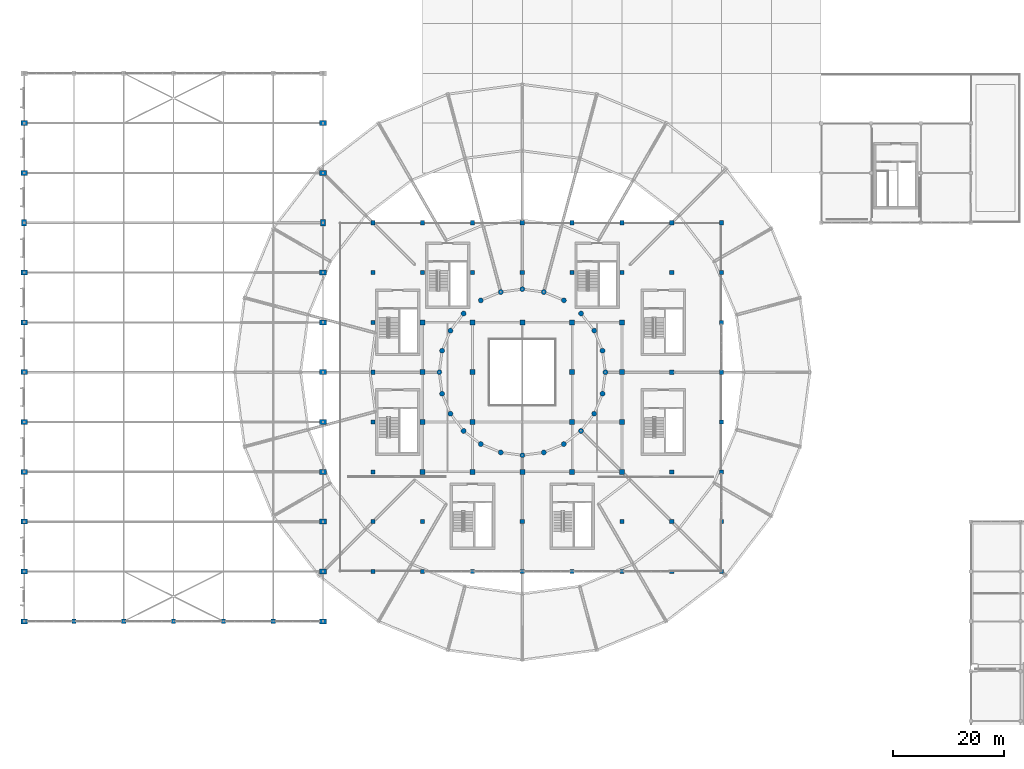
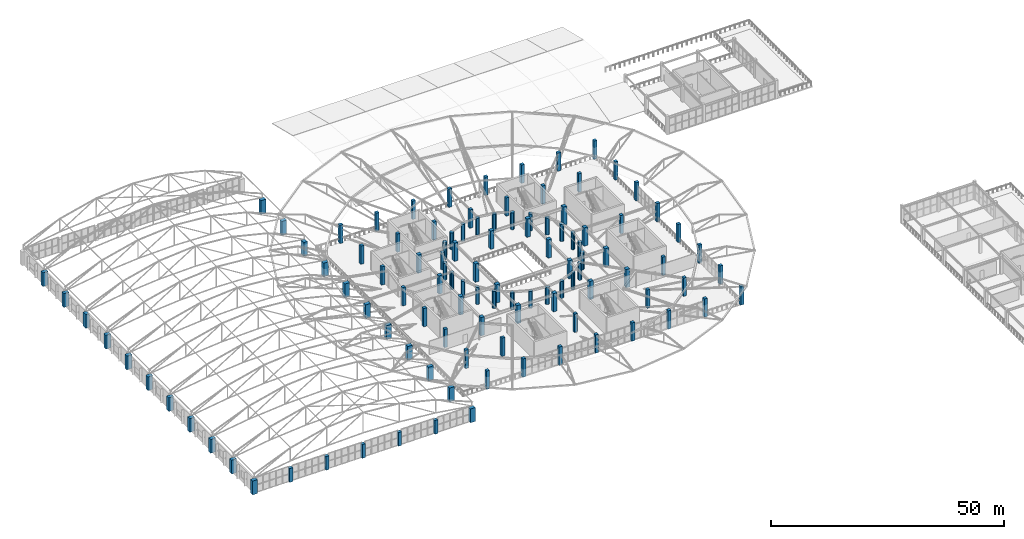
# One storey, part 1 of 167: 109 columns.
"""IFC4 building model written with IfcOpenShell, lengths in metres."""

import ifcopenshell
import ifcopenshell.guid

model = None  # the IFC model being written
_history = None  # IfcOwnerHistory: only IFC2X3 demands one
_inside = {}  # id of a spatial element -> (the spatial element, [elements in it])
_under = {}  # id of a project, library or spatial element -> (it, [spatial elements below it])
_declared = {}  # id of a project -> (the project, [libraries it declares])
_typed = {}  # id of a type object -> (the type object, [elements of that type])
_made_of = {}  # id of a material, layer set ... -> (it, [elements and type objects made of it])


def new_model(schema):
    """Start an empty IFC model of exactly this schema.

    Asked for "IFC4X3", IfcOpenShell would pick the latest addendum, in which some entities
    have other attributes; the version numbers below select the first issue.
    IFC2X3 requires an IfcOwnerHistory on every rooted entity: one is made here for all.
    """
    global model, _history
    if schema == "IFC4X3":
        model = ifcopenshell.file(schema_version=(4, 3, 0, 0))
    else:
        model = ifcopenshell.file(schema=schema)
    _inside.clear()
    _under.clear()
    _declared.clear()
    _typed.clear()
    _made_of.clear()
    _history = None
    if model.schema == "IFC2X3":
        org = make("IfcOrganization", Name="unknown")
        user = make(
            "IfcPersonAndOrganization",
            ThePerson=make("IfcPerson", FamilyName="unknown"),
            TheOrganization=org,
        )
        app = make(
            "IfcApplication",
            ApplicationDeveloper=org,
            Version="unknown",
            ApplicationFullName="unknown",
            ApplicationIdentifier="unknown",
        )
        _history = make(
            "IfcOwnerHistory",
            OwningUser=user,
            OwningApplication=app,
            ChangeAction="ADDED",
            CreationDate=0,
        )
    return model


def make(cls, **values):
    """One entity of the class cls with the attributes given. An attribute that is None is left unset."""
    return model.create_entity(
        cls, **{name: value for name, value in values.items() if value is not None}
    )


def rooted(cls, **values):
    """An entity with a GlobalId (a new one), such as an element, a storey or a relation."""
    return make(cls, GlobalId=ifcopenshell.guid.new(), OwnerHistory=_history, **values)


def si_unit(unit_type, name, prefix=None):
    """IfcSIUnit, for example si_unit("LENGTHUNIT", "METRE", prefix="MILLI")."""
    return make("IfcSIUnit", UnitType=unit_type, Prefix=prefix, Name=name)


def assignment(units):
    """IfcUnitAssignment: the units of a project."""
    return None if units is None else make("IfcUnitAssignment", Units=units)


def point(xyz):
    """IfcCartesianPoint."""
    return None if xyz is None else make("IfcCartesianPoint", Coordinates=xyz)


def direction(xyz):
    """IfcDirection."""
    return None if xyz is None else make("IfcDirection", DirectionRatios=xyz)


def frame(location, z_axis=None, x_axis=None):
    """IfcAxis2Placement3D, a coordinate frame: its origin and axes. An axis left out is left unset."""
    return make(
        "IfcAxis2Placement3D",
        Location=point(location),
        Axis=direction(z_axis),
        RefDirection=direction(x_axis),
    )


def frame_2d(location, x_axis=None):
    """IfcAxis2Placement2D, a coordinate frame in the plane: its origin and x axis."""
    return make(
        "IfcAxis2Placement2D", Location=point(location), RefDirection=direction(x_axis)
    )


def origin():
    """The frame at (0, 0, 0) with its axes left unset."""
    return frame((0.0, 0.0, 0.0))


def origin_2d():
    """The frame at (0, 0) in the plane with its x axis left unset."""
    return frame_2d((0.0, 0.0))


def place(relative_to, where):
    """IfcLocalPlacement: puts the frame where relative to a parent placement (None: the world)."""
    return make(
        "IfcLocalPlacement", PlacementRelTo=relative_to, RelativePlacement=where
    )


def context(
    kind, dimensions, precision=None, world=None, true_north=None, identifier=None
):
    """IfcGeometricRepresentationContext, for example the 3D "Model" context."""
    return make(
        "IfcGeometricRepresentationContext",
        ContextIdentifier=identifier,
        ContextType=kind,
        CoordinateSpaceDimension=dimensions,
        Precision=precision,
        WorldCoordinateSystem=world,
        TrueNorth=true_north,
    )


def subcontext(parent, identifier, kind, view, scale=None):
    """IfcGeometricRepresentationSubContext, for example "Body" below "Model"."""
    return make(
        "IfcGeometricRepresentationSubContext",
        ContextIdentifier=identifier,
        ContextType=kind,
        ParentContext=parent,
        TargetScale=scale,
        TargetView=view,
    )


def project(units=None, contexts=None):
    """IfcProject with its units and contexts."""
    return rooted(
        "IfcProject",
        Name="project",
        RepresentationContexts=contexts,
        UnitsInContext=assignment(units),
    )


def spatial(cls, under=None, at=None, **own):
    """A site, building, storey or space (cls), placed at a placement, below another one or the project."""
    s = rooted(cls, ObjectPlacement=at, **own)
    if under is not None:
        _under.setdefault(under.id(), (under, []))[1].append(s)
    return s


def profile(cls, at=None, kind="AREA", **sizes):
    """A parametric profile (cls). Its sizes go by their IFC names, for example OverallWidth=200.0."""
    return make(cls, ProfileType=kind, Position=at, **sizes)


def rectangle(**sizes):
    """IfcRectangleProfileDef."""
    return profile("IfcRectangleProfileDef", **sizes)


def circle(**sizes):
    """IfcCircleProfileDef."""
    return profile("IfcCircleProfileDef", **sizes)


def extrude(swept, where, along, depth):
    """IfcExtrudedAreaSolid: the profile swept, set in the frame where, extruded along a direction by depth."""
    return make(
        "IfcExtrudedAreaSolid",
        SweptArea=swept,
        Position=where,
        ExtrudedDirection=direction(along),
        Depth=depth,
    )


def shape(context_of_items, identifier, shape_type, items):
    """IfcShapeRepresentation: the items that make up one representation, for example the "Body"."""
    return make(
        "IfcShapeRepresentation",
        ContextOfItems=context_of_items,
        RepresentationIdentifier=identifier,
        RepresentationType=shape_type,
        Items=items,
    )


def material(Name=None, Category=None):
    """IfcMaterial."""
    return make("IfcMaterial", Name=Name, Category=Category)


def material_profile(
    of_material, cross_section, Name=None, Category=None, Priority=None
):
    """IfcMaterialProfile: a cross section and its material."""
    return make(
        "IfcMaterialProfile",
        Name=Name,
        Material=of_material,
        Profile=cross_section,
        Priority=Priority,
        Category=Category,
    )


def profile_set(profiles, Name=None, composite=None):
    """IfcMaterialProfileSet."""
    return make(
        "IfcMaterialProfileSet",
        Name=Name,
        MaterialProfiles=profiles,
        CompositeProfile=composite,
    )


def made_of(thing, what):
    """Note that an element or type object is made of a material, layer set ...; save() writes the relation."""
    if what is not None:
        _made_of.setdefault(what.id(), (what, []))[1].append(thing)
    return thing


def type_object(cls, material=None, **own):
    """A type object (cls), such as IfcWallType, which elements share."""
    return made_of(rooted(cls, **own), material)


def element(
    cls,
    number,
    at=None,
    inside=None,
    cuts=None,
    type_object=None,
    material=None,
    context=None,
    identifier="Body",
    shape_type=None,
    held_by="IfcProductDefinitionShape",
    body=None,
    shapes=None,
    **own,
):
    """One element of the class cls, such as IfcWall. Its Tag is "e" and its number.

    at: its placement. inside: the storey or other place that contains it. cuts: it is an
    opening in that element (IfcRelVoidsElement). A single representation is given by context,
    identifier, shape_type and body (its items); several are given by shapes. held_by: the class
    of the entity that holds the representations. save() writes the other relations.
    """
    e = rooted(cls, Tag="e%d" % number, ObjectPlacement=at, **own)
    if body is not None:
        shapes = [shape(context, identifier, shape_type, body)]
    if shapes is not None:
        e.Representation = make(held_by, Representations=shapes)
    if inside is not None:
        _inside.setdefault(inside.id(), (inside, []))[1].append(e)
    if cuts is not None:
        rooted(
            "IfcRelVoidsElement", RelatingBuildingElement=cuts, RelatedOpeningElement=e
        )
    if type_object is not None:
        _typed.setdefault(type_object.id(), (type_object, []))[1].append(e)
    return made_of(e, material)


def aggregate(whole, parts):
    """IfcRelAggregates: a whole, such as a stair, and the parts it consists of."""
    return rooted("IfcRelAggregates", RelatingObject=whole, RelatedObjects=parts)


def save(model, path):
    """Write the relations noted so far, then the file.

    IfcRelAggregates (storeys below a building ...), IfcRelContainedInSpatialStructure (elements
    in a storey), IfcRelDefinesByType, IfcRelAssociatesMaterial and IfcRelDeclares: one each for
    every whole, place, type object, material and project.
    """
    for whole, parts in _under.values():
        aggregate(whole, parts)
    for where, things in _inside.values():
        rooted(
            "IfcRelContainedInSpatialStructure",
            RelatedElements=things,
            RelatingStructure=where,
        )
    for kind, things in _typed.values():
        rooted("IfcRelDefinesByType", RelatedObjects=things, RelatingType=kind)
    for what, things in _made_of.values():
        rooted("IfcRelAssociatesMaterial", RelatedObjects=things, RelatingMaterial=what)
    for by, libraries in _declared.values():
        rooted("IfcRelDeclares", RelatingContext=by, RelatedDefinitions=libraries)
    model.write(path)


model = new_model("IFC4")

# Units and contexts
model_context = context("Model", 3, precision=1e-05, world=origin(), true_north=direction((0.0, 1.0)))
body_context = subcontext(model_context, "Body", "Model", "MODEL_VIEW")
ifc_project = project(units=[si_unit("LENGTHUNIT", "METRE"), si_unit("AREAUNIT", "SQUARE_METRE"), si_unit("VOLUMEUNIT", "CUBIC_METRE"), si_unit("PLANEANGLEUNIT", "RADIAN"), si_unit("MASSUNIT", "GRAM", prefix="KILO")], contexts=[model_context])

# Site, building, storey
site_placement = place(None, origin())
site = spatial("IfcSite", under=ifc_project, at=site_placement, CompositionType="ELEMENT")
building_placement = place(site_placement, origin())
building = spatial("IfcBuilding", under=site, at=building_placement, Name="Dornveld Trade and Exhibition Forum", CompositionType="ELEMENT")
storey_placement = place(building_placement, frame((0.0, 0.0, 16.800048828125)))
storey = spatial("IfcBuildingStorey", under=building, at=storey_placement, Name="L03", CompositionType="ELEMENT", Elevation=16.800048828125)

# Columns
ifc_material_1 = material(Name="Precast concrete C50/60", Category="concrete")
ifc_material_profile_1 = material_profile(ifc_material_1, circle(Radius=0.449951171875, at=origin_2d()), Name="PC-COL D900")
ifc_profile_set_1 = profile_set([ifc_material_profile_1], Name="Precast concrete C50/60")
column_type_1 = type_object("IfcColumnType", Name="COL-DISC-D900", PredefinedType="COLUMN", material=ifc_profile_set_1)
for number, where, z_axis, x_axis, name in (
    (1, (102.0, 81.0, 0.0), (0.0, 0.0, 1.0), (1.0, 0.0, 0.0), "L03 column (102.0, 81.0)"),
    (2, (102.510986328125, 77.117919921875, 0.0), (0.0, 0.0, 1.0), (1.0, 0.0, 0.0), "L03 column (102.5, 77.1)"),
    (3, (102.510986328125, 84.882080078125, 0.0), (0.0, 0.0, 1.0), (1.0, 0.0, 0.0), "L03 column (102.5, 84.9)"),
    (4, (104.010009765625, 73.5, 0.0), (0.0, 0.0, 1.0), (1.0, 0.0, 0.0), "L03 column (104.0, 73.5)"),
    (5, (104.010009765625, 88.5, 0.0), (0.0, 0.0, 1.0), (1.0, 0.0, 0.0), "L03 column (104.0, 88.5)"),
    (6, (106.39306640625, 70.39306640625, 0.0), (0.0, 0.0, 1.0), (1.0, 0.0, 0.0), "L03 column (106.4, 70.4)"),
    (7, (106.39306640625, 91.60693359375, 0.0), (0.0, 0.0, 1.0), (1.0, 0.0, 0.0), "L03 column (106.4, 91.6)"),
    (8, (109.5, 68.010009765625, 0.0), (0.0, 0.0, 1.0), (1.0, 0.0, 0.0), "L03 column (109.5, 68.0)"),
    (9, (109.5, 93.989990234375, 0.0), (0.0, 0.0, 1.0), (1.0, 0.0, 0.0), "L03 column (109.5, 94.0)"),
    (10, (113.117919921875, 66.510986328125, 0.0), (0.0, 0.0, 1.0), (1.0, 0.0, 0.0), "L03 column (113.1, 66.5)"),
    (11, (113.117919921875, 95.489013671875, 0.0), (0.0, 0.0, 1.0), (1.0, 0.0, 0.0), "L03 column (113.1, 95.5)"),
    (12, (117.0, 66.0, 0.0), (0.0, 0.0, 1.0), (1.0, 0.0, 0.0), "L03 column (117.0, 66.0)"),
    (13, (117.0, 96.0, 0.0), (0.0, 0.0, 1.0), (1.0, 0.0, 0.0), "L03 column (117.0, 96.0)"),
    (14, (120.882080078125, 66.510986328125, 0.0), (0.0, 0.0, 1.0), (1.0, 0.0, 0.0), "L03 column (120.9, 66.5)"),
    (15, (120.882080078125, 95.489013671875, 0.0), (0.0, 0.0, 1.0), (1.0, 0.0, 0.0), "L03 column (120.9, 95.5)"),
    (16, (124.5, 68.010009765625, 0.0), (0.0, 0.0, 1.0), (1.0, 0.0, 0.0), "L03 column (124.5, 68.0)"),
    (17, (124.5, 93.989990234375, 0.0), (0.0, 0.0, 1.0), (1.0, 0.0, 0.0), "L03 column (124.5, 94.0)"),
    (18, (127.60693359375, 70.39306640625, 0.0), (0.0, 0.0, 1.0), (1.0, 0.0, 0.0), "L03 column (127.6, 70.4)"),
    (19, (127.60693359375, 91.60693359375, 0.0), (0.0, 0.0, 1.0), (1.0, 0.0, 0.0), "L03 column (127.6, 91.6)"),
    (20, (129.989990234375, 73.5, 0.0), (0.0, 0.0, 1.0), (1.0, 0.0, 0.0), "L03 column (130.0, 73.5)"),
    (21, (129.989990234375, 88.5, 0.0), (0.0, 0.0, 1.0), (1.0, 0.0, 0.0), "L03 column (130.0, 88.5)"),
    (22, (131.489013671875, 77.117919921875, 0.0), (0.0, 0.0, 1.0), (1.0, 0.0, 0.0), "L03 column (131.5, 77.1)"),
    (23, (131.489013671875, 84.882080078125, 0.0), (0.0, 0.0, 1.0), (1.0, 0.0, 0.0), "L03 column (131.5, 84.9)"),
    (24, (132.0, 81.0, 0.0), (0.0, 0.0, 1.0), (1.0, 0.0, 0.0), "L03 column (132.0, 81.0)"),
):
    element("IfcColumn", number, at=place(storey_placement, frame(where, z_axis=z_axis, x_axis=x_axis)), inside=storey, type_object=column_type_1, Name=name, PredefinedType="COLUMN", context=body_context, shape_type="SweptSolid", body=[
        extrude(circle(Radius=0.449951171875, at=origin_2d()), origin(), (0.0, 0.0, 1.0), 4.449951171875),
    ])
ifc_material_2 = material(Name="Precast concrete C50/60", Category="concrete")
ifc_material_profile_2 = material_profile(ifc_material_2, rectangle(XDim=0.75, YDim=0.75, at=origin_2d()), Name="PC-COL 750x750")
ifc_profile_set_2 = profile_set([ifc_material_profile_2], Name="Precast concrete C50/60")
column_type_2 = type_object("IfcColumnType", Name="COL-PC750", PredefinedType="COLUMN", material=ifc_profile_set_2)
for number, where, z_axis, x_axis, name in (
    (25, (90.0, 45.0, 0.0), (0.0, 0.0, 1.0), (1.0, 0.0, 0.0), "L03 column (90.0, 45.0)"),
    (26, (90.0, 54.0, 0.0), (0.0, 0.0, 1.0), (1.0, 0.0, 0.0), "L03 column (90.0, 54.0)"),
    (27, (90.0, 63.0, 0.0), (0.0, 0.0, 1.0), (1.0, 0.0, 0.0), "L03 column (90.0, 63.0)"),
    (28, (90.0, 72.0, 0.0), (0.0, 0.0, 1.0), (1.0, 0.0, 0.0), "L03 column (90.0, 72.0)"),
    (29, (90.0, 81.0, 0.0), (0.0, 0.0, 1.0), (1.0, 0.0, 0.0), "L03 column (90.0, 81.0)"),
    (30, (90.0, 90.0, 0.0), (0.0, 0.0, 1.0), (1.0, 0.0, 0.0), "L03 column (90.0, 90.0)"),
    (31, (90.0, 99.0, 0.0), (0.0, 0.0, 1.0), (1.0, 0.0, 0.0), "L03 column (90.0, 99.0)"),
    (32, (90.0, 108.0, 0.0), (0.0, 0.0, 1.0), (1.0, 0.0, 0.0), "L03 column (90.0, 108.0)"),
    (33, (99.0, 45.0, 0.0), (0.0, 0.0, 1.0), (1.0, 0.0, 0.0), "L03 column (99.0, 45.0)"),
    (34, (99.0, 54.0, 0.0), (0.0, 0.0, 1.0), (1.0, 0.0, 0.0), "L03 column (99.0, 54.0)"),
    (35, (99.0, 99.0, 0.0), (0.0, 0.0, 1.0), (1.0, 0.0, 0.0), "L03 column (99.0, 99.0)"),
    (36, (99.0, 108.0, 0.0), (0.0, 0.0, 1.0), (1.0, 0.0, 0.0), "L03 column (99.0, 108.0)"),
    (37, (108.0, 45.0, 0.0), (0.0, 0.0, 1.0), (1.0, 0.0, 0.0), "L03 column (108.0, 45.0)"),
    (38, (108.0, 99.0, 0.0), (0.0, 0.0, 1.0), (1.0, 0.0, 0.0), "L03 column (108.0, 99.0)"),
    (39, (108.0, 108.0, 0.0), (0.0, 0.0, 1.0), (1.0, 0.0, 0.0), "L03 column (108.0, 108.0)"),
    (40, (117.0, 45.0, 0.0), (0.0, 0.0, 1.0), (1.0, 0.0, 0.0), "L03 column (117.0, 45.0)"),
    (41, (117.0, 54.0, 0.0), (0.0, 0.0, 1.0), (1.0, 0.0, 0.0), "L03 column (117.0, 54.0)"),
    (42, (117.0, 99.0, 0.0), (0.0, 0.0, 1.0), (1.0, 0.0, 0.0), "L03 column (117.0, 99.0)"),
    (43, (117.0, 108.0, 0.0), (0.0, 0.0, 1.0), (1.0, 0.0, 0.0), "L03 column (117.0, 108.0)"),
    (44, (126.0, 45.0, 0.0), (0.0, 0.0, 1.0), (1.0, 0.0, 0.0), "L03 column (126.0, 45.0)"),
    (45, (126.0, 99.0, 0.0), (0.0, 0.0, 1.0), (1.0, 0.0, 0.0), "L03 column (126.0, 99.0)"),
    (46, (126.0, 108.0, 0.0), (0.0, 0.0, 1.0), (1.0, 0.0, 0.0), "L03 column (126.0, 108.0)"),
    (47, (135.0, 45.0, 0.0), (0.0, 0.0, 1.0), (1.0, 0.0, 0.0), "L03 column (135.0, 45.0)"),
    (48, (135.0, 54.0, 0.0), (0.0, 0.0, 1.0), (1.0, 0.0, 0.0), "L03 column (135.0, 54.0)"),
    (49, (135.0, 99.0, 0.0), (0.0, 0.0, 1.0), (1.0, 0.0, 0.0), "L03 column (135.0, 99.0)"),
    (50, (135.0, 108.0, 0.0), (0.0, 0.0, 1.0), (1.0, 0.0, 0.0), "L03 column (135.0, 108.0)"),
    (51, (144.0, 45.0, 0.0), (0.0, 0.0, 1.0), (1.0, 0.0, 0.0), "L03 column (144.0, 45.0)"),
    (52, (144.0, 54.0, 0.0), (0.0, 0.0, 1.0), (1.0, 0.0, 0.0), "L03 column (144.0, 54.0)"),
    (53, (144.0, 63.0, 0.0), (0.0, 0.0, 1.0), (1.0, 0.0, 0.0), "L03 column (144.0, 63.0)"),
    (54, (144.0, 81.0, 0.0), (0.0, 0.0, 1.0), (1.0, 0.0, 0.0), "L03 column (144.0, 81.0)"),
    (55, (144.0, 99.0, 0.0), (0.0, 0.0, 1.0), (1.0, 0.0, 0.0), "L03 column (144.0, 99.0)"),
    (56, (144.0, 108.0, 0.0), (0.0, 0.0, 1.0), (1.0, 0.0, 0.0), "L03 column (144.0, 108.0)"),
    (57, (153.0, 45.0, 0.0), (0.0, 0.0, 1.0), (1.0, 0.0, 0.0), "L03 column (153.0, 45.0)"),
    (58, (153.0, 54.0, 0.0), (0.0, 0.0, 1.0), (1.0, 0.0, 0.0), "L03 column (153.0, 54.0)"),
    (59, (153.0, 63.0, 0.0), (0.0, 0.0, 1.0), (1.0, 0.0, 0.0), "L03 column (153.0, 63.0)"),
    (60, (153.0, 72.0, 0.0), (0.0, 0.0, 1.0), (1.0, 0.0, 0.0), "L03 column (153.0, 72.0)"),
    (61, (153.0, 81.0, 0.0), (0.0, 0.0, 1.0), (1.0, 0.0, 0.0), "L03 column (153.0, 81.0)"),
    (62, (153.0, 90.0, 0.0), (0.0, 0.0, 1.0), (1.0, 0.0, 0.0), "L03 column (153.0, 90.0)"),
    (63, (153.0, 99.0, 0.0), (0.0, 0.0, 1.0), (1.0, 0.0, 0.0), "L03 column (153.0, 99.0)"),
    (64, (153.0, 108.0, 0.0), (0.0, 0.0, 1.0), (1.0, 0.0, 0.0), "L03 column (153.0, 108.0)"),
):
    element("IfcColumn", number, at=place(storey_placement, frame(where, z_axis=z_axis, x_axis=x_axis)), inside=storey, type_object=column_type_2, Name=name, PredefinedType="COLUMN", context=body_context, shape_type="SweptSolid", body=[
        extrude(rectangle(XDim=0.75, YDim=0.75, at=origin_2d()), origin(), (0.0, 0.0, 1.0), 4.800048828125),
    ])
ifc_material_3 = material(Name="Precast concrete C50/60", Category="concrete")
ifc_material_profile_3 = material_profile(ifc_material_3, rectangle(XDim=0.89990234375, YDim=0.89990234375, at=origin_2d()), Name="PC-COL 900x900")
ifc_profile_set_3 = profile_set([ifc_material_profile_3], Name="Precast concrete C50/60")
column_type_3 = type_object("IfcColumnType", Name="COL-PC900", PredefinedType="COLUMN", material=ifc_profile_set_3)
for number, where, z_axis, x_axis, name in (
    (65, (99.0, 63.0, 0.0), (0.0, 0.0, 1.0), (1.0, 0.0, 0.0), "L03 column (99.0, 63.0)"),
    (66, (99.0, 72.0, 0.0), (0.0, 0.0, 1.0), (1.0, 0.0, 0.0), "L03 column (99.0, 72.0)"),
    (67, (99.0, 81.0, 0.0), (0.0, 0.0, 1.0), (1.0, 0.0, 0.0), "L03 column (99.0, 81.0)"),
    (68, (99.0, 90.0, 0.0), (0.0, 0.0, 1.0), (1.0, 0.0, 0.0), "L03 column (99.0, 90.0)"),
    (69, (108.0, 63.0, 0.0), (0.0, 0.0, 1.0), (1.0, 0.0, 0.0), "L03 column (108.0, 63.0)"),
    (70, (108.0, 72.0, 0.0), (0.0, 0.0, 1.0), (1.0, 0.0, 0.0), "L03 column (108.0, 72.0)"),
    (71, (108.0, 81.0, 0.0), (0.0, 0.0, 1.0), (1.0, 0.0, 0.0), "L03 column (108.0, 81.0)"),
    (72, (108.0, 90.0, 0.0), (0.0, 0.0, 1.0), (1.0, 0.0, 0.0), "L03 column (108.0, 90.0)"),
    (73, (117.0, 63.0, 0.0), (0.0, 0.0, 1.0), (1.0, 0.0, 0.0), "L03 column (117.0, 63.0)"),
    (74, (117.0, 90.0, 0.0), (0.0, 0.0, 1.0), (1.0, 0.0, 0.0), "L03 column (117.0, 90.0)"),
    (75, (126.0, 63.0, 0.0), (0.0, 0.0, 1.0), (1.0, 0.0, 0.0), "L03 column (126.0, 63.0)"),
    (76, (126.0, 72.0, 0.0), (0.0, 0.0, 1.0), (1.0, 0.0, 0.0), "L03 column (126.0, 72.0)"),
    (77, (126.0, 81.0, 0.0), (0.0, 0.0, 1.0), (1.0, 0.0, 0.0), "L03 column (126.0, 81.0)"),
    (78, (126.0, 90.0, 0.0), (0.0, 0.0, 1.0), (1.0, 0.0, 0.0), "L03 column (126.0, 90.0)"),
    (79, (135.0, 63.0, 0.0), (0.0, 0.0, 1.0), (1.0, 0.0, 0.0), "L03 column (135.0, 63.0)"),
    (80, (135.0, 72.0, 0.0), (0.0, 0.0, 1.0), (1.0, 0.0, 0.0), "L03 column (135.0, 72.0)"),
    (81, (135.0, 81.0, 0.0), (0.0, 0.0, 1.0), (1.0, 0.0, 0.0), "L03 column (135.0, 81.0)"),
    (82, (135.0, 90.0, 0.0), (0.0, 0.0, 1.0), (1.0, 0.0, 0.0), "L03 column (135.0, 90.0)"),
):
    element("IfcColumn", number, at=place(storey_placement, frame(where, z_axis=z_axis, x_axis=x_axis)), inside=storey, type_object=column_type_3, Name=name, PredefinedType="COLUMN", context=body_context, shape_type="SweptSolid", body=[
        extrude(rectangle(XDim=0.89990234375, YDim=0.89990234375, at=origin_2d()), origin(), (0.0, 0.0, 1.0), 4.800048828125),
    ])
ifc_material_4 = material(Name="Precast concrete C50/60", Category="concrete")
ifc_material_profile_4 = material_profile(ifc_material_4, rectangle(XDim=1.199951171875, YDim=0.89990234375, at=origin_2d()), Name="PC-PIER 1200x900")
ifc_profile_set_4 = profile_set([ifc_material_profile_4], Name="Precast concrete C50/60")
column_type_4 = type_object("IfcColumnType", Name="COL-PIER1200", PredefinedType="COLUMN", material=ifc_profile_set_4)
for number, where, z_axis, x_axis, name in (
    (83, (27.0, 36.0, 0.0), (0.0, 0.0, 1.0), (1.0, 0.0, 0.0), "L03 column (27.0, 36.0)"),
    (84, (27.0, 45.0, 0.0), (0.0, 0.0, 1.0), (1.0, 0.0, 0.0), "L03 column (27.0, 45.0)"),
    (85, (27.0, 54.0, 0.0), (0.0, 0.0, 1.0), (1.0, 0.0, 0.0), "L03 column (27.0, 54.0)"),
    (86, (27.0, 63.0, 0.0), (0.0, 0.0, 1.0), (1.0, 0.0, 0.0), "L03 column (27.0, 63.0)"),
    (87, (27.0, 72.0, 0.0), (0.0, 0.0, 1.0), (1.0, 0.0, 0.0), "L03 column (27.0, 72.0)"),
    (88, (27.0, 81.0, 0.0), (0.0, 0.0, 1.0), (1.0, 0.0, 0.0), "L03 column (27.0, 81.0)"),
    (89, (27.0, 90.0, 0.0), (0.0, 0.0, 1.0), (1.0, 0.0, 0.0), "L03 column (27.0, 90.0)"),
    (90, (27.0, 99.0, 0.0), (0.0, 0.0, 1.0), (1.0, 0.0, 0.0), "L03 column (27.0, 99.0)"),
    (91, (27.0, 108.0, 0.0), (0.0, 0.0, 1.0), (0.0, 1.0, 0.0), "L03 column (27.0, 108.0)"),
    (92, (27.0, 117.0, 0.0), (0.0, 0.0, 1.0), (1.0, 0.0, 0.0), "L03 column (27.0, 117.0)"),
    (93, (27.0, 126.0, 0.0), (0.0, 0.0, 1.0), (1.0, 0.0, 0.0), "L03 column (27.0, 126.0)"),
    (94, (81.0, 36.0, 0.0), (0.0, 0.0, 1.0), (1.0, 0.0, 0.0), "L03 column (81.0, 36.0)"),
    (95, (81.0, 45.0, 0.0), (0.0, 0.0, 1.0), (1.0, 0.0, 0.0), "L03 column (81.0, 45.0)"),
    (96, (81.0, 54.0, 0.0), (0.0, 0.0, 1.0), (1.0, 0.0, 0.0), "L03 column (81.0, 54.0)"),
    (97, (81.0, 63.0, 0.0), (0.0, 0.0, 1.0), (1.0, 0.0, 0.0), "L03 column (81.0, 63.0)"),
    (98, (81.0, 72.0, 0.0), (0.0, 0.0, 1.0), (1.0, 0.0, 0.0), "L03 column (81.0, 72.0)"),
    (99, (81.0, 81.0, 0.0), (0.0, 0.0, 1.0), (1.0, 0.0, 0.0), "L03 column (81.0, 81.0)"),
    (100, (81.0, 90.0, 0.0), (0.0, 0.0, 1.0), (1.0, 0.0, 0.0), "L03 column (81.0, 90.0)"),
    (101, (81.0, 99.0, 0.0), (0.0, 0.0, 1.0), (1.0, 0.0, 0.0), "L03 column (81.0, 99.0)"),
    (102, (81.0, 108.0, 0.0), (0.0, 0.0, 1.0), (0.0, 1.0, 0.0), "L03 column (81.0, 108.0)"),
    (103, (81.0, 117.0, 0.0), (0.0, 0.0, 1.0), (1.0, 0.0, 0.0), "L03 column (81.0, 117.0)"),
    (104, (81.0, 126.0, 0.0), (0.0, 0.0, 1.0), (1.0, 0.0, 0.0), "L03 column (81.0, 126.0)"),
):
    element("IfcColumn", number, at=place(storey_placement, frame(where, z_axis=z_axis, x_axis=x_axis)), inside=storey, type_object=column_type_4, Name=name, PredefinedType="COLUMN", context=body_context, shape_type="SweptSolid", body=[
        extrude(rectangle(XDim=1.199951171875, YDim=0.89990234375, at=origin_2d()), origin(), (0.0, 0.0, 1.0), 3.599853515625),
    ])
ifc_material_5 = material(Name="Precast concrete C50/60", Category="concrete")
ifc_material_profile_5 = material_profile(ifc_material_5, rectangle(XDim=0.75, YDim=0.75, at=origin_2d()), Name="PC-COL 750x750")
ifc_profile_set_5 = profile_set([ifc_material_profile_5], Name="Precast concrete C50/60")
column_type_5 = type_object("IfcColumnType", Name="COL-PILASTER750", PredefinedType="PILASTER", material=ifc_profile_set_5)
for number, where, z_axis, x_axis, name in (
    (105, (36.0, 36.0, 0.0), (0.0, 0.0, 1.0), (1.0, 0.0, 0.0), "L03 column (36.0, 36.0)"),
    (106, (45.0, 36.0, 0.0), (0.0, 0.0, 1.0), (1.0, 0.0, 0.0), "L03 column (45.0, 36.0)"),
    (107, (54.0, 36.0, 0.0), (0.0, 0.0, 1.0), (1.0, 0.0, 0.0), "L03 column (54.0, 36.0)"),
    (108, (63.0, 36.0, 0.0), (0.0, 0.0, 1.0), (1.0, 0.0, 0.0), "L03 column (63.0, 36.0)"),
    (109, (72.0, 36.0, 0.0), (0.0, 0.0, 1.0), (1.0, 0.0, 0.0), "L03 column (72.0, 36.0)"),
):
    element("IfcColumn", number, at=place(storey_placement, frame(where, z_axis=z_axis, x_axis=x_axis)), inside=storey, type_object=column_type_5, Name=name, PredefinedType="PILASTER", context=body_context, shape_type="SweptSolid", body=[
        extrude(rectangle(XDim=0.75, YDim=0.75, at=origin_2d()), origin(), (0.0, 0.0, 1.0), 3.599853515625),
    ])

save(model, "model.ifc")
